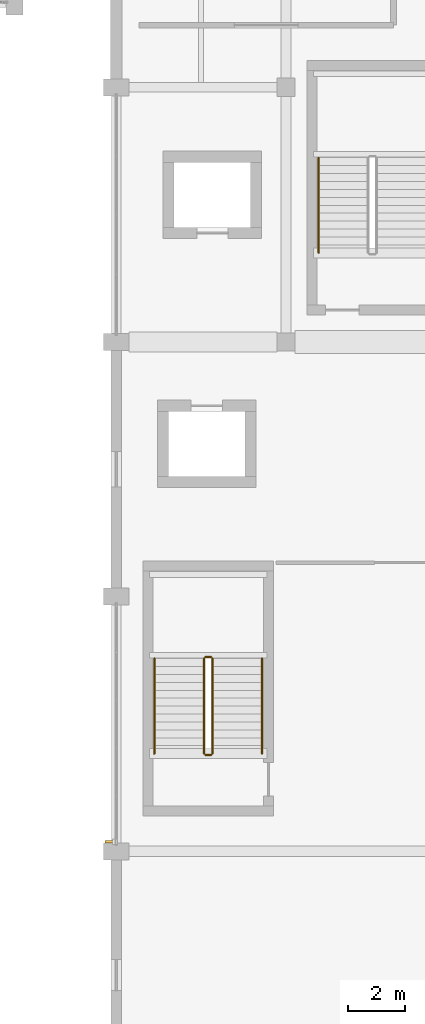
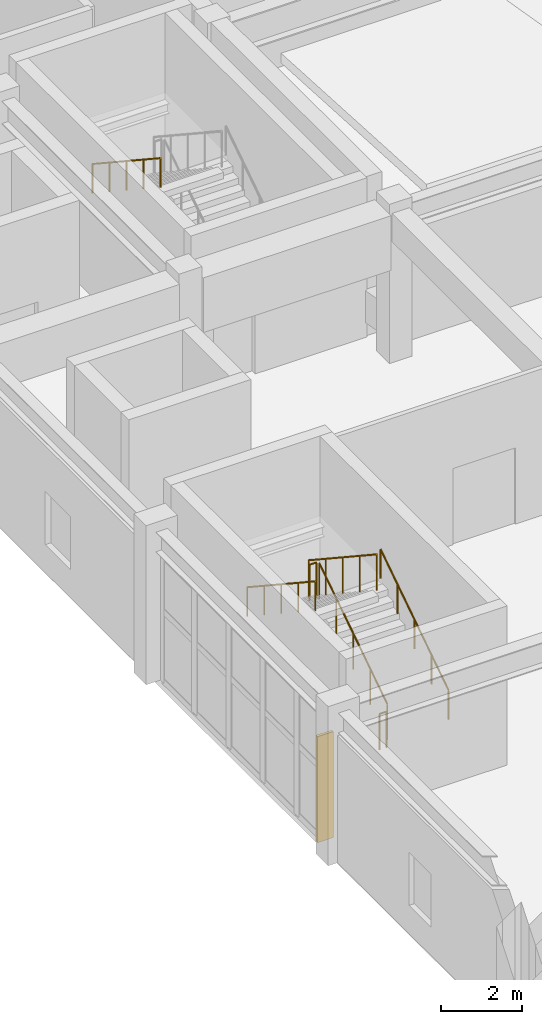
# One storey, part 72 of 85: 7 railings, 1 shading device.
"""IFC4 building model written with IfcOpenShell, lengths in metres."""

import ifcopenshell
import ifcopenshell.guid

model = None  # the IFC model being written
_history = None  # IfcOwnerHistory: only IFC2X3 demands one
_inside = {}  # id of a spatial element -> (the spatial element, [elements in it])
_under = {}  # id of a project, library or spatial element -> (it, [spatial elements below it])
_declared = {}  # id of a project -> (the project, [libraries it declares])
_typed = {}  # id of a type object -> (the type object, [elements of that type])
_made_of = {}  # id of a material, layer set ... -> (it, [elements and type objects made of it])


def new_model(schema):
    """Start an empty IFC model of exactly this schema.

    Asked for "IFC4X3", IfcOpenShell would pick the latest addendum, in which some entities
    have other attributes; the version numbers below select the first issue.
    IFC2X3 requires an IfcOwnerHistory on every rooted entity: one is made here for all.
    """
    global model, _history
    if schema == "IFC4X3":
        model = ifcopenshell.file(schema_version=(4, 3, 0, 0))
    else:
        model = ifcopenshell.file(schema=schema)
    _inside.clear()
    _under.clear()
    _declared.clear()
    _typed.clear()
    _made_of.clear()
    _history = None
    if model.schema == "IFC2X3":
        org = make("IfcOrganization", Name="unknown")
        user = make(
            "IfcPersonAndOrganization",
            ThePerson=make("IfcPerson", FamilyName="unknown"),
            TheOrganization=org,
        )
        app = make(
            "IfcApplication",
            ApplicationDeveloper=org,
            Version="unknown",
            ApplicationFullName="unknown",
            ApplicationIdentifier="unknown",
        )
        _history = make(
            "IfcOwnerHistory",
            OwningUser=user,
            OwningApplication=app,
            ChangeAction="ADDED",
            CreationDate=0,
        )
    return model


def make(cls, **values):
    """One entity of the class cls with the attributes given. An attribute that is None is left unset."""
    return model.create_entity(
        cls, **{name: value for name, value in values.items() if value is not None}
    )


def rooted(cls, **values):
    """An entity with a GlobalId (a new one), such as an element, a storey or a relation."""
    return make(cls, GlobalId=ifcopenshell.guid.new(), OwnerHistory=_history, **values)


def si_unit(unit_type, name, prefix=None):
    """IfcSIUnit, for example si_unit("LENGTHUNIT", "METRE", prefix="MILLI")."""
    return make("IfcSIUnit", UnitType=unit_type, Prefix=prefix, Name=name)


def assignment(units):
    """IfcUnitAssignment: the units of a project."""
    return None if units is None else make("IfcUnitAssignment", Units=units)


def point(xyz):
    """IfcCartesianPoint."""
    return None if xyz is None else make("IfcCartesianPoint", Coordinates=xyz)


def direction(xyz):
    """IfcDirection."""
    return None if xyz is None else make("IfcDirection", DirectionRatios=xyz)


def frame(location, z_axis=None, x_axis=None):
    """IfcAxis2Placement3D, a coordinate frame: its origin and axes. An axis left out is left unset."""
    return make(
        "IfcAxis2Placement3D",
        Location=point(location),
        Axis=direction(z_axis),
        RefDirection=direction(x_axis),
    )


def frame_2d(location, x_axis=None):
    """IfcAxis2Placement2D, a coordinate frame in the plane: its origin and x axis."""
    return make(
        "IfcAxis2Placement2D", Location=point(location), RefDirection=direction(x_axis)
    )


def origin():
    """The frame at (0, 0, 0) with its axes left unset."""
    return frame((0.0, 0.0, 0.0))


def origin_2d():
    """The frame at (0, 0) in the plane with its x axis left unset."""
    return frame_2d((0.0, 0.0))


def place(relative_to, where):
    """IfcLocalPlacement: puts the frame where relative to a parent placement (None: the world)."""
    return make(
        "IfcLocalPlacement", PlacementRelTo=relative_to, RelativePlacement=where
    )


def context(
    kind, dimensions, precision=None, world=None, true_north=None, identifier=None
):
    """IfcGeometricRepresentationContext, for example the 3D "Model" context."""
    return make(
        "IfcGeometricRepresentationContext",
        ContextIdentifier=identifier,
        ContextType=kind,
        CoordinateSpaceDimension=dimensions,
        Precision=precision,
        WorldCoordinateSystem=world,
        TrueNorth=true_north,
    )


def subcontext(parent, identifier, kind, view, scale=None):
    """IfcGeometricRepresentationSubContext, for example "Body" below "Model"."""
    return make(
        "IfcGeometricRepresentationSubContext",
        ContextIdentifier=identifier,
        ContextType=kind,
        ParentContext=parent,
        TargetScale=scale,
        TargetView=view,
    )


def project(units=None, contexts=None):
    """IfcProject with its units and contexts."""
    return rooted(
        "IfcProject",
        Name="project",
        RepresentationContexts=contexts,
        UnitsInContext=assignment(units),
    )


def spatial(cls, under=None, at=None, **own):
    """A site, building, storey or space (cls), placed at a placement, below another one or the project."""
    s = rooted(cls, ObjectPlacement=at, **own)
    if under is not None:
        _under.setdefault(under.id(), (under, []))[1].append(s)
    return s


def profile(cls, at=None, kind="AREA", **sizes):
    """A parametric profile (cls). Its sizes go by their IFC names, for example OverallWidth=200.0."""
    return make(cls, ProfileType=kind, Position=at, **sizes)


def rectangle(**sizes):
    """IfcRectangleProfileDef."""
    return profile("IfcRectangleProfileDef", **sizes)


def circle(**sizes):
    """IfcCircleProfileDef."""
    return profile("IfcCircleProfileDef", **sizes)


def extrude(swept, where, along, depth):
    """IfcExtrudedAreaSolid: the profile swept, set in the frame where, extruded along a direction by depth."""
    return make(
        "IfcExtrudedAreaSolid",
        SweptArea=swept,
        Position=where,
        ExtrudedDirection=direction(along),
        Depth=depth,
    )


def shape(context_of_items, identifier, shape_type, items):
    """IfcShapeRepresentation: the items that make up one representation, for example the "Body"."""
    return make(
        "IfcShapeRepresentation",
        ContextOfItems=context_of_items,
        RepresentationIdentifier=identifier,
        RepresentationType=shape_type,
        Items=items,
    )


def material(Name=None, Category=None):
    """IfcMaterial."""
    return make("IfcMaterial", Name=Name, Category=Category)


def made_of(thing, what):
    """Note that an element or type object is made of a material, layer set ...; save() writes the relation."""
    if what is not None:
        _made_of.setdefault(what.id(), (what, []))[1].append(thing)
    return thing


def type_object(cls, material=None, **own):
    """A type object (cls), such as IfcWallType, which elements share."""
    return made_of(rooted(cls, **own), material)


def element(
    cls,
    number,
    at=None,
    inside=None,
    cuts=None,
    type_object=None,
    material=None,
    context=None,
    identifier="Body",
    shape_type=None,
    held_by="IfcProductDefinitionShape",
    body=None,
    shapes=None,
    **own,
):
    """One element of the class cls, such as IfcWall. Its Tag is "e" and its number.

    at: its placement. inside: the storey or other place that contains it. cuts: it is an
    opening in that element (IfcRelVoidsElement). A single representation is given by context,
    identifier, shape_type and body (its items); several are given by shapes. held_by: the class
    of the entity that holds the representations. save() writes the other relations.
    """
    e = rooted(cls, Tag="e%d" % number, ObjectPlacement=at, **own)
    if body is not None:
        shapes = [shape(context, identifier, shape_type, body)]
    if shapes is not None:
        e.Representation = make(held_by, Representations=shapes)
    if inside is not None:
        _inside.setdefault(inside.id(), (inside, []))[1].append(e)
    if cuts is not None:
        rooted(
            "IfcRelVoidsElement", RelatingBuildingElement=cuts, RelatedOpeningElement=e
        )
    if type_object is not None:
        _typed.setdefault(type_object.id(), (type_object, []))[1].append(e)
    return made_of(e, material)


def aggregate(whole, parts):
    """IfcRelAggregates: a whole, such as a stair, and the parts it consists of."""
    return rooted("IfcRelAggregates", RelatingObject=whole, RelatedObjects=parts)


def save(model, path):
    """Write the relations noted so far, then the file.

    IfcRelAggregates (storeys below a building ...), IfcRelContainedInSpatialStructure (elements
    in a storey), IfcRelDefinesByType, IfcRelAssociatesMaterial and IfcRelDeclares: one each for
    every whole, place, type object, material and project.
    """
    for whole, parts in _under.values():
        aggregate(whole, parts)
    for where, things in _inside.values():
        rooted(
            "IfcRelContainedInSpatialStructure",
            RelatedElements=things,
            RelatingStructure=where,
        )
    for kind, things in _typed.values():
        rooted("IfcRelDefinesByType", RelatedObjects=things, RelatingType=kind)
    for what, things in _made_of.values():
        rooted("IfcRelAssociatesMaterial", RelatedObjects=things, RelatingMaterial=what)
    for by, libraries in _declared.values():
        rooted("IfcRelDeclares", RelatingContext=by, RelatedDefinitions=libraries)
    model.write(path)


model = new_model("IFC4")

# Units and contexts
model_context = context("Model", 3, precision=1e-05, world=origin(), true_north=direction((0.0, 1.0)))
body_context = subcontext(model_context, "Body", "Model", "MODEL_VIEW")
ifc_project = project(units=[si_unit("LENGTHUNIT", "METRE"), si_unit("AREAUNIT", "SQUARE_METRE"), si_unit("VOLUMEUNIT", "CUBIC_METRE"), si_unit("PLANEANGLEUNIT", "RADIAN"), si_unit("MASSUNIT", "GRAM", prefix="KILO")], contexts=[model_context])

# Site, building, storey
site_placement = place(None, origin())
site = spatial("IfcSite", under=ifc_project, at=site_placement, CompositionType="ELEMENT")
building_placement = place(site_placement, origin())
building = spatial("IfcBuilding", under=site, at=building_placement, Name="Vaelkrest Opera House", CompositionType="ELEMENT")
storey_placement = place(building_placement, frame((0.0, 0.0, 10.199951171875)))
storey = spatial("IfcBuildingStorey", under=building, at=storey_placement, Name="L02", CompositionType="ELEMENT", Elevation=10.199951171875)

# Shading device
ifc_material = material(Name="Dark bronze anodized aluminium", Category="aluminium")
shading_device_type = type_object("IfcShadingDeviceType", Name="FIN01", PredefinedType="USERDEFINED", material=ifc_material)
shading_device_placement = place(storey_placement, frame((-30.179931640625, -46.4619140625, 0.31396484375), z_axis=(0.0, 0.0, 1.0), x_axis=(-1.0, 0.0, 0.0)))
element("IfcShadingDevice", 1, at=shading_device_placement, inside=storey, type_object=shading_device_type, Name="Bronze vertical facade fin 03", ObjectType="FIN", PredefinedType="USERDEFINED", context=body_context, shape_type="SweptSolid", body=[
    extrude(rectangle(XDim=0.449951171875, YDim=0.080078125, at=origin_2d()), origin(), (0.0, 0.0, 1.0), 3.199951171875),
])

# Railings
railing_type_1 = type_object("IfcRailingType", Name="GR02", PredefinedType="GUARDRAIL", material=ifc_material)
railing_1_placement = place(storey_placement, frame((-26.60009765625, -43.35009765625, 0.1845703125)))
element("IfcRailing", 2, at=railing_1_placement, inside=storey, type_object=railing_type_1, Name="L02 ST03 stair guard 1", PredefinedType="GUARDRAIL", context=body_context, shape_type="SweptSolid", body=[
    extrude(circle(Radius=0.02392578125, at=origin_2d()), frame((0.0, 0.0, 1.076171875), z_axis=(0.0, 0.834848600103, 0.550479622607), x_axis=(-1.0, 0.0, 0.0)), (0.0, 0.0, 1.0), 4.02490234375),
    extrude(circle(Radius=0.02099609375, at=origin_2d()), origin(), (0.0, 0.0, 1.0), 1.052001953125),
    extrude(circle(Radius=0.02099609375, at=origin_2d()), frame((0.0, 0.840087890625, 0.553955078125)), (0.0, 0.0, 1.0), 1.052001953125),
    extrude(circle(Radius=0.02099609375, at=origin_2d()), frame((0.0, 1.68017578125, 1.10791015625)), (0.0, 0.0, 1.0), 1.052001953125),
    extrude(circle(Radius=0.02099609375, at=origin_2d()), frame((0.0, 2.52001953125, 1.66162109375)), (0.0, 0.0, 1.0), 1.052001953125),
    extrude(circle(Radius=0.02099609375, at=origin_2d()), frame((0.0, 3.360107421875, 2.215576171875)), (0.0, 0.0, 1.0), 1.052001953125),
])
railing_2_placement = place(storey_placement, frame((-26.64990234375, -39.93994140625, 2.400146484375)))
element("IfcRailing", 3, at=railing_2_placement, inside=storey, type_object=railing_type_1, Name="L02 ST03 stair guard 2", PredefinedType="GUARDRAIL", context=body_context, shape_type="SweptSolid", body=[
    extrude(circle(Radius=0.02392578125, at=origin_2d()), frame((0.0, 0.0, 1.076171875), z_axis=(-1.0, 0.0, 0.0), x_axis=(0.0, -1.0, 0.0)), (0.0, 0.0, 1.0), 0.2001953125),
    extrude(circle(Radius=0.02099609375, at=origin_2d()), origin(), (0.0, 0.0, 1.0), 1.052001953125),
    extrude(circle(Radius=0.02099609375, at=origin_2d()), frame((-0.2001953125, 0.0, 0.0)), (0.0, 0.0, 1.0), 1.052001953125),
])
railing_3_placement = place(storey_placement, frame((-26.89990234375, -39.989990234375, 2.584716796875)))
element("IfcRailing", 4, at=railing_3_placement, inside=storey, type_object=railing_type_1, Name="L02 ST03 stair guard 3", PredefinedType="GUARDRAIL", context=body_context, shape_type="SweptSolid", body=[
    extrude(circle(Radius=0.02392578125, at=origin_2d()), frame((0.0, 0.0, 1.076171875), z_axis=(0.0, -0.834876476806, 0.550437342915), x_axis=(1.0, 0.0, 0.0)), (0.0, 0.0, 1.0), 4.024658203125),
    extrude(circle(Radius=0.02099609375, at=origin_2d()), origin(), (0.0, 0.0, 1.0), 1.052001953125),
    extrude(circle(Radius=0.02099609375, at=origin_2d()), frame((0.0, -0.840087890625, 0.5537109375)), (0.0, 0.0, 1.0), 1.052001953125),
    extrude(circle(Radius=0.02099609375, at=origin_2d()), frame((0.0, -1.68017578125, 1.107666015625)), (0.0, 0.0, 1.0), 1.052001953125),
    extrude(circle(Radius=0.02099609375, at=origin_2d()), frame((0.0, -2.52001953125, 1.66162109375)), (0.0, 0.0, 1.0), 1.052001953125),
    extrude(circle(Radius=0.02099609375, at=origin_2d()), frame((0.0, -3.360107421875, 2.21533203125)), (0.0, 0.0, 1.0), 1.052001953125),
])
railing_4_placement = place(storey_placement, frame((-26.64990234375, -43.39990234375, 0.0)))
element("IfcRailing", 5, at=railing_4_placement, inside=storey, type_object=railing_type_1, Name="L02 ST03 stair guard 4", PredefinedType="GUARDRAIL", context=body_context, shape_type="SweptSolid", body=[
    extrude(circle(Radius=0.02392578125, at=origin_2d()), frame((0.0, 0.0, 1.076171875), z_axis=(-1.0, 0.0, 0.0), x_axis=(0.0, -1.0, 0.0)), (0.0, 0.0, 1.0), 0.2001953125),
    extrude(circle(Radius=0.02099609375, at=origin_2d()), origin(), (0.0, 0.0, 1.0), 1.052001953125),
    extrude(circle(Radius=0.02099609375, at=origin_2d()), frame((-0.2001953125, 0.0, 0.0)), (0.0, 0.0, 1.0), 1.052001953125),
])
railing_type_2 = type_object("IfcRailingType", Name="HR02", PredefinedType="HANDRAIL", material=ifc_material)
railing_5_placement = place(storey_placement, frame((-22.85009765625, -22.2900390625, 2.584716796875)))
element("IfcRailing", 6, at=railing_5_placement, inside=storey, type_object=railing_type_2, Name="L02 ST01 stair handrail 2", PredefinedType="HANDRAIL", context=body_context, shape_type="SweptSolid", body=[
    extrude(circle(Radius=0.02392578125, at=origin_2d()), frame((0.0, 0.0, 0.8759765625), z_axis=(0.0, -0.834858096282, 0.550465220583), x_axis=(1.0, 0.0, 0.0)), (0.0, 0.0, 1.0), 4.0244140625),
    extrude(circle(Radius=0.02099609375, at=origin_2d()), origin(), (0.0, 0.0, 1.0), 0.851806640625),
    extrude(circle(Radius=0.02099609375, at=origin_2d()), frame((0.0, -0.83984375, 0.5537109375)), (0.0, 0.0, 1.0), 0.851806640625),
    extrude(circle(Radius=0.02099609375, at=origin_2d()), frame((0.0, -1.679931640625, 1.107666015625)), (0.0, 0.0, 1.0), 0.851806640625),
    extrude(circle(Radius=0.02099609375, at=origin_2d()), frame((0.0, -2.52001953125, 1.66162109375)), (0.0, 0.0, 1.0), 0.851806640625),
    extrude(circle(Radius=0.02099609375, at=origin_2d()), frame((0.0, -3.35986328125, 2.21533203125)), (0.0, 0.0, 1.0), 0.851806640625),
])
railing_6_placement = place(storey_placement, frame((-24.85009765625, -43.35009765625, 0.1845703125)))
element("IfcRailing", 7, at=railing_6_placement, inside=storey, type_object=railing_type_2, Name="L02 ST03 stair handrail 1", PredefinedType="HANDRAIL", context=body_context, shape_type="SweptSolid", body=[
    extrude(circle(Radius=0.02392578125, at=origin_2d()), frame((0.0, 0.0, 0.8759765625), z_axis=(0.0, 0.834848600103, 0.550479622607), x_axis=(-1.0, 0.0, 0.0)), (0.0, 0.0, 1.0), 4.02490234375),
    extrude(circle(Radius=0.02099609375, at=origin_2d()), origin(), (0.0, 0.0, 1.0), 0.851806640625),
    extrude(circle(Radius=0.02099609375, at=origin_2d()), frame((0.0, 0.840087890625, 0.553955078125)), (0.0, 0.0, 1.0), 0.851806640625),
    extrude(circle(Radius=0.02099609375, at=origin_2d()), frame((0.0, 1.68017578125, 1.10791015625)), (0.0, 0.0, 1.0), 0.851806640625),
    extrude(circle(Radius=0.02099609375, at=origin_2d()), frame((0.0, 2.52001953125, 1.66162109375)), (0.0, 0.0, 1.0), 0.851806640625),
    extrude(circle(Radius=0.02099609375, at=origin_2d()), frame((0.0, 3.360107421875, 2.215576171875)), (0.0, 0.0, 1.0), 0.851806640625),
])
railing_7_placement = place(storey_placement, frame((-28.64990234375, -39.989990234375, 2.584716796875)))
element("IfcRailing", 8, at=railing_7_placement, inside=storey, type_object=railing_type_2, Name="L02 ST03 stair handrail 2", PredefinedType="HANDRAIL", context=body_context, shape_type="SweptSolid", body=[
    extrude(circle(Radius=0.02392578125, at=origin_2d()), frame((0.0, 0.0, 0.8759765625), z_axis=(0.0, -0.834876476806, 0.550437342915), x_axis=(1.0, 0.0, 0.0)), (0.0, 0.0, 1.0), 4.024658203125),
    extrude(circle(Radius=0.02099609375, at=origin_2d()), origin(), (0.0, 0.0, 1.0), 0.851806640625),
    extrude(circle(Radius=0.02099609375, at=origin_2d()), frame((0.0, -0.840087890625, 0.5537109375)), (0.0, 0.0, 1.0), 0.851806640625),
    extrude(circle(Radius=0.02099609375, at=origin_2d()), frame((0.0, -1.68017578125, 1.107666015625)), (0.0, 0.0, 1.0), 0.851806640625),
    extrude(circle(Radius=0.02099609375, at=origin_2d()), frame((0.0, -2.52001953125, 1.66162109375)), (0.0, 0.0, 1.0), 0.851806640625),
    extrude(circle(Radius=0.02099609375, at=origin_2d()), frame((0.0, -3.360107421875, 2.21533203125)), (0.0, 0.0, 1.0), 0.851806640625),
])

save(model, "model.ifc")
